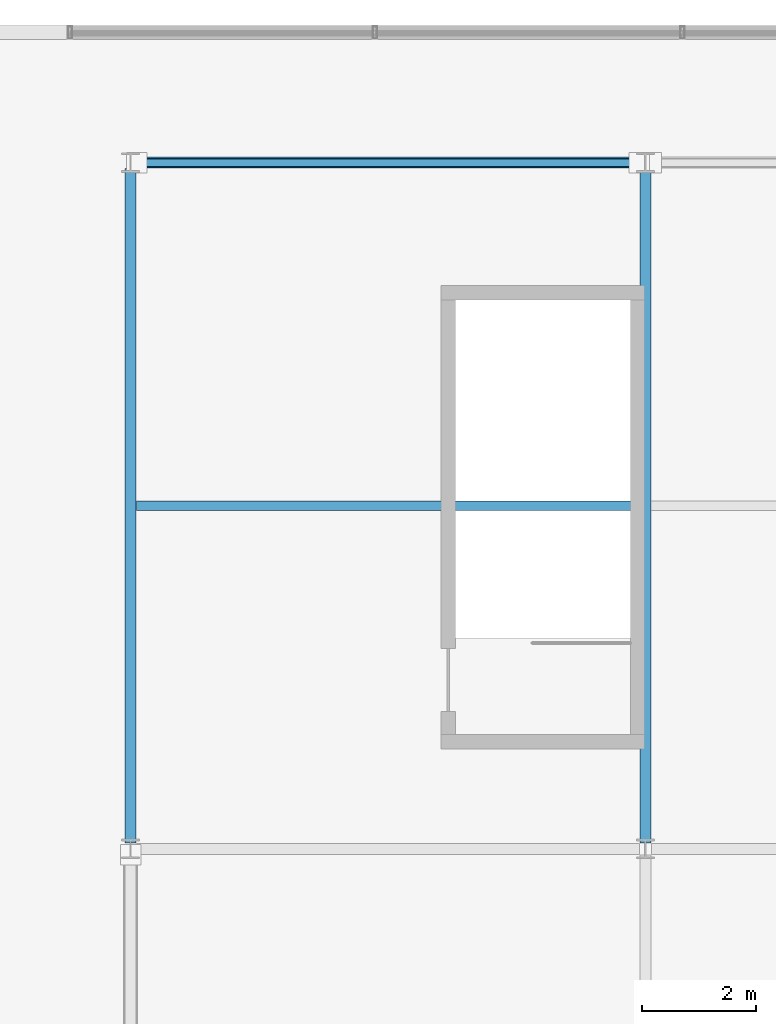
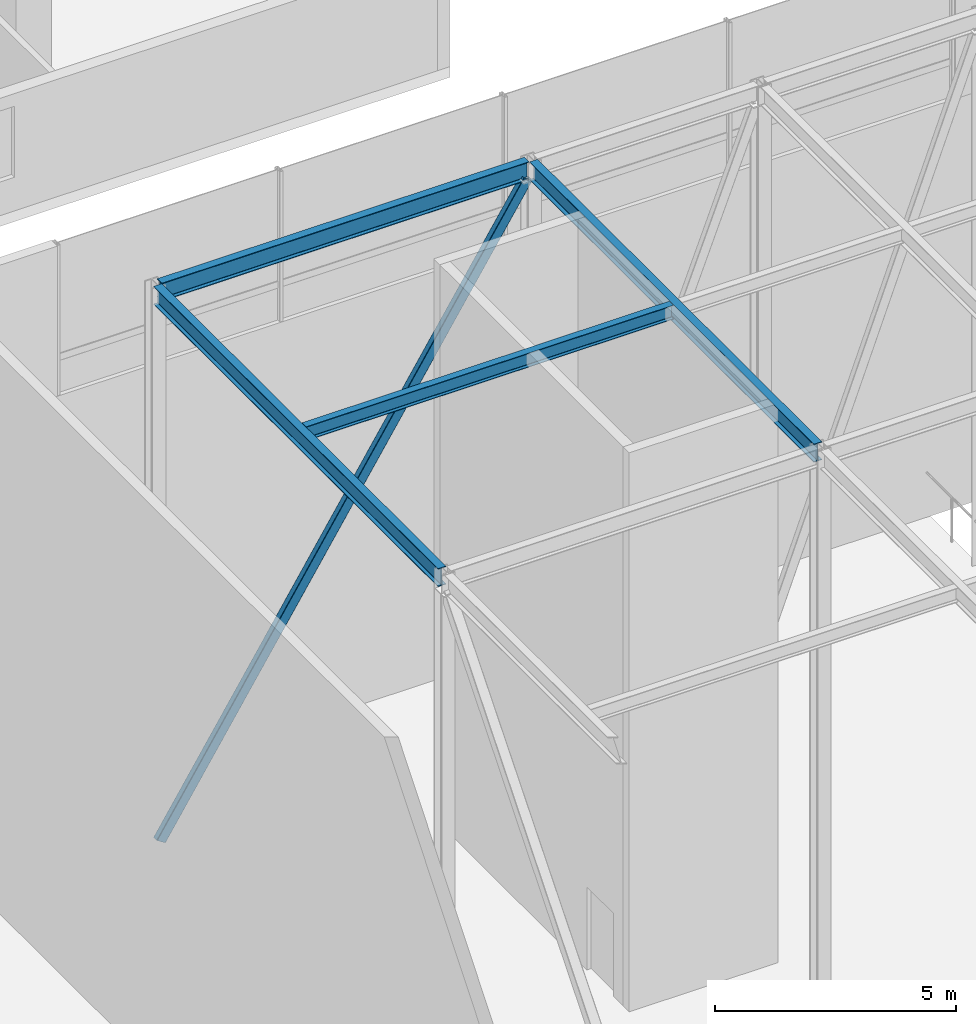
# One storey, part 18 of 42: 4 beams, 1 member.
"""IFC4 building model written with IfcOpenShell, lengths in metres."""

from ifc_helpers import new_model, si_unit, direction, frame, origin, origin_2d, place, context, subcontext, project, spatial, hollow_rectangle, i_section, extrude, material, material_profile, profile_set, type_object, element, save


model = new_model("IFC4")

# Units and contexts
model_context = context("Model", 3, precision=1e-05, world=origin(), true_north=direction((0.0, 1.0)))
body_context = subcontext(model_context, "Body", "Model", "MODEL_VIEW")
ifc_project = project(units=[si_unit("LENGTHUNIT", "METRE"), si_unit("AREAUNIT", "SQUARE_METRE"), si_unit("VOLUMEUNIT", "CUBIC_METRE"), si_unit("PLANEANGLEUNIT", "RADIAN"), si_unit("MASSUNIT", "GRAM", prefix="KILO")], contexts=[model_context])

# Site, building, storey
site_placement = place(None, origin())
site = spatial("IfcSite", under=ifc_project, at=site_placement, CompositionType="ELEMENT")
building_placement = place(site_placement, origin())
building = spatial("IfcBuilding", under=site, at=building_placement, Name="Korimba Cascade Residences", CompositionType="ELEMENT")
storey_placement = place(building_placement, frame((0.0, 0.0, 207.60009765625)))
storey = spatial("IfcBuildingStorey", under=building, at=storey_placement, Name="L60", CompositionType="ELEMENT", Elevation=207.60009765625)

# Beams
ifc_material = material(Name="Steel S355", Category="steel")
ifc_material_profile_1 = material_profile(ifc_material, i_section(OverallWidth=0.172119140625, OverallDepth=0.35791015625, WebThickness=0.008056640625, FlangeThickness=0.012939453125, FilletRadius=0.01025390625, at=origin_2d()), Name="Steel S355")
ifc_profile_set_1 = profile_set([ifc_material_profile_1], Name="Steel S355")
beam_type_1 = type_object("IfcBeamType", Name="BM-STL-UB356", PredefinedType="JOIST", material=ifc_profile_set_1)
beam_1_placement = place(storey_placement, frame((109.199951171875, 24.39990234375, 13.970947265625), z_axis=(1.0, 0.0, 0.0), x_axis=(0.0, 1.0, 0.0)))
element("IfcBeam", 1, at=beam_1_placement, inside=storey, type_object=beam_type_1, Name="L60 Crown Cap Joist E3.1", PredefinedType="JOIST", context=body_context, shape_type="SweptSolid", body=[
    extrude(i_section(OverallWidth=0.172119140625, OverallDepth=0.35791015625, WebThickness=0.008056640625, FlangeThickness=0.012939453125, FilletRadius=0.01025390625, at=origin_2d()), origin(), (0.0, 0.0, 1.0), 8.800048828125),
])
ifc_material_profile_2 = material_profile(ifc_material, i_section(OverallWidth=0.19140625, OverallDepth=0.4599609375, WebThickness=0.010009765625, FlangeThickness=0.01611328125, FilletRadius=0.01025390625, at=origin_2d()), Name="Steel S355")
ifc_profile_set_2 = profile_set([ifc_material_profile_2], Name="Steel S355")
beam_type_2 = type_object("IfcBeamType", Name="BM-STL-UB457", PredefinedType="JOIST", material=ifc_profile_set_2)
beam_2_placement = place(storey_placement, frame((109.205078125, 30.39990234375, 13.919921875), z_axis=(1.0, 0.0, 0.0), x_axis=(0.0, 1.0, 0.0)))
element("IfcBeam", 2, at=beam_2_placement, inside=storey, type_object=beam_type_2, Name="L60 Crown Cap Ring Beam E4.1", PredefinedType="JOIST", context=body_context, shape_type="SweptSolid", body=[
    extrude(i_section(OverallWidth=0.19140625, OverallDepth=0.4599609375, WebThickness=0.010009765625, FlangeThickness=0.01611328125, FilletRadius=0.01025390625, at=origin_2d()), origin(), (0.0, 0.0, 1.0), 8.7900390625),
])
for number, where, z_axis, x_axis, name in (
    (3, (109.10009765625, 18.5048828125, 13.919921875), (0.0, 1.0, 0.0), (-1.0, 0.0, 0.0), "L60 Crown Cap Tie Beam E1.3"),
    (4, (118.10009765625, 18.5048828125, 13.919921875), (0.0, 1.0, 0.0), (-1.0, 0.0, 0.0), "L60 Crown Cap Tie Beam E2.3"),
):
    element("IfcBeam", number, at=place(storey_placement, frame(where, z_axis=z_axis, x_axis=x_axis)), inside=storey, type_object=beam_type_2, Name=name, PredefinedType="JOIST", context=body_context, shape_type="SweptSolid", body=[
        extrude(i_section(OverallWidth=0.19140625, OverallDepth=0.4599609375, WebThickness=0.010009765625, FlangeThickness=0.01611328125, FilletRadius=0.01025390625, at=origin_2d()), origin(), (0.0, 0.0, 1.0), 11.7900390625),
    ])

# Member
ifc_material_profile_3 = material_profile(ifc_material, hollow_rectangle(XDim=0.14990234375, YDim=0.25, WallThickness=0.009033203125, InnerFilletRadius=0.009033203125, OuterFilletRadius=0.01806640625, at=origin_2d()), Name="Steel S355")
ifc_profile_set_3 = profile_set([ifc_material_profile_3], Name="Steel S355")
member_type = type_object("IfcMemberType", Name="MEM-CRN-RHS250", PredefinedType="BRACE", material=ifc_profile_set_3)
member_placement = place(storey_placement, frame((109.205078125, 30.39990234375, 0.0), z_axis=(0.540131149546, 0.0, 0.841580858439), x_axis=(0.0, 1.0, 0.0)))
element("IfcMember", 5, at=member_placement, inside=storey, type_object=member_type, Name="L60 CROWN FRAME Diagonal Brace E4.1", PredefinedType="BRACE", context=body_context, shape_type="SweptSolid", body=[
    extrude(hollow_rectangle(XDim=0.14990234375, YDim=0.25, WallThickness=0.009033203125, InnerFilletRadius=0.009033203125, OuterFilletRadius=0.01806640625, at=origin_2d()), origin(), (0.0, 0.0, 1.0), 16.27392578125),
])

save(model, "model.ifc")
